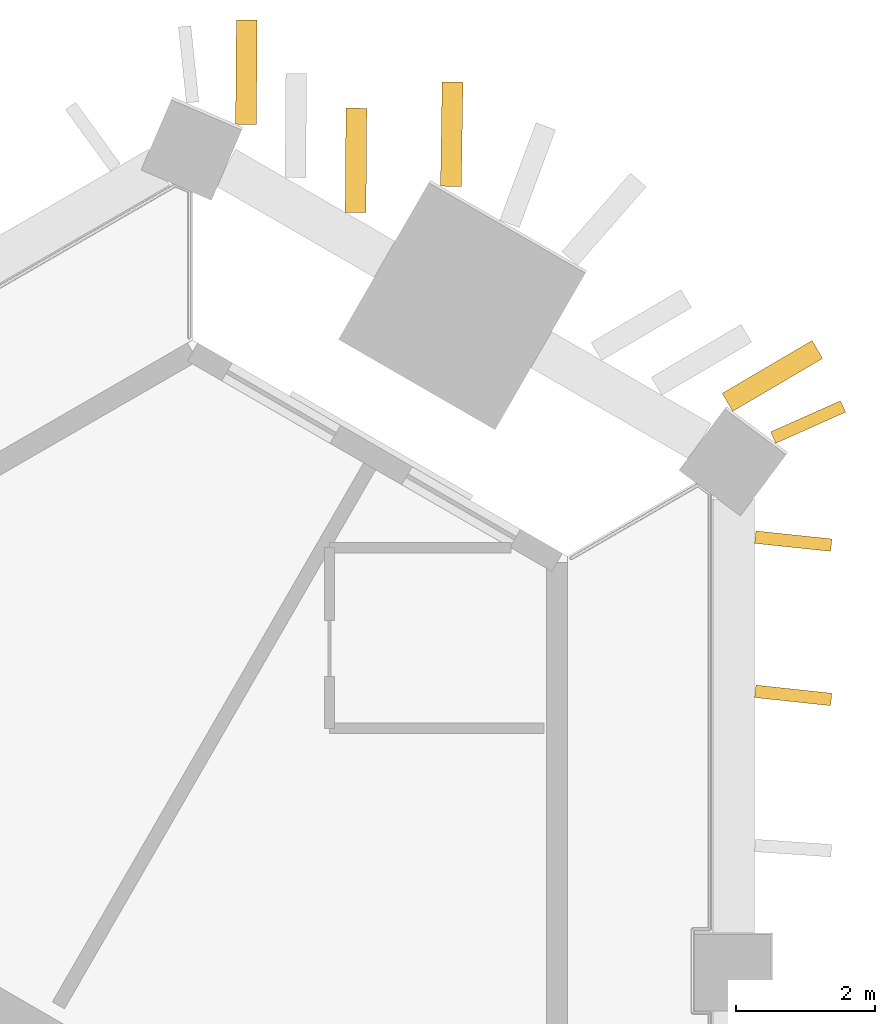
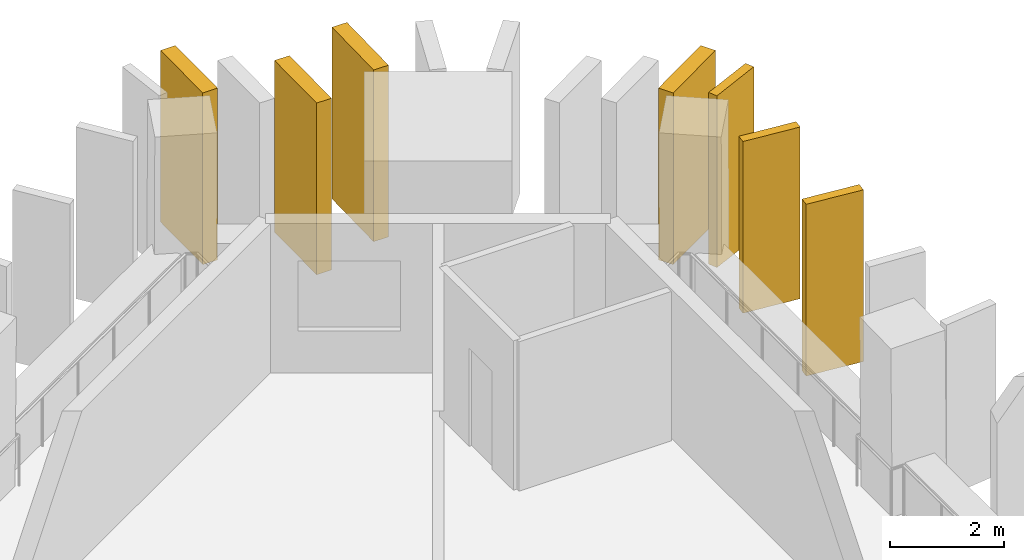
# One storey, part 11 of 11: 7 shading devices.
"""IFC4 building model written with IfcOpenShell, lengths in metres."""

from ifc_helpers import new_model, si_unit, direction, frame, frame_2d, origin, place, context, subcontext, project, spatial, rectangle, extrude, material, layer, layer_set, type_object, element, save


model = new_model("IFC4")

# Units and contexts
model_context = context("Model", 3, precision=1e-05, world=origin(), true_north=direction((0.0, 1.0)))
body_context = subcontext(model_context, "Body", "Model", "MODEL_VIEW")
ifc_project = project(units=[si_unit("LENGTHUNIT", "METRE"), si_unit("AREAUNIT", "SQUARE_METRE"), si_unit("VOLUMEUNIT", "CUBIC_METRE"), si_unit("PLANEANGLEUNIT", "RADIAN"), si_unit("MASSUNIT", "GRAM", prefix="KILO")], contexts=[model_context])

# Site, building, storey
site_placement = place(None, origin())
site = spatial("IfcSite", under=ifc_project, at=site_placement, CompositionType="ELEMENT")
building_placement = place(site_placement, origin())
building = spatial("IfcBuilding", under=site, at=building_placement, Name="Jabali Bay Hotel Tower and Convention Centre", CompositionType="ELEMENT")
storey_placement = place(building_placement, frame((0.0, 0.0, 75.800048828125)))
storey = spatial("IfcBuildingStorey", under=building, at=storey_placement, Name="L17", CompositionType="ELEMENT", Elevation=75.800048828125)

# Shading devices
ifc_material = material(Name="Precast concrete C60", Category="concrete")
ifc_layer_1 = layer(ifc_material, 0.179931640625)
ifc_layer_set_1 = layer_set([ifc_layer_1], Name="Precast concrete C60")
shading_device_type_1 = type_object("IfcShadingDeviceType", Name="Precast fin 3680 x 1100", PredefinedType="USERDEFINED", material=ifc_layer_set_1)
shading_device_1_placement = place(storey_placement, frame((98.427490234375, 107.72802734375, 0.010009765625), z_axis=(0.0, 0.0, 1.0), x_axis=(0.994259499222, -0.106995552272, 0.0)))
element("IfcShadingDevice", 1, at=shading_device_1_placement, inside=storey, type_object=shading_device_type_1, Name="Fin L17 026", ObjectType="FIN", PredefinedType="USERDEFINED", context=body_context, shape_type="SweptSolid", body=[
    extrude(rectangle(XDim=1.099853515625, YDim=0.179931640625, at=frame_2d((0.5498046875, 0.0))), origin(), (0.0, 0.0, 1.0), 3.679931640625),
])
for number, where, z_axis, x_axis, name in (
    (2, (98.42724609375, 109.9462890625, 0.010009765625), (0.0, 0.0, 1.0), (0.99447500941, -0.104973595057, 0.0), "Fin L17 027"),
    (3, (98.685302734375, 111.378662109375, 0.010009765625), (0.0, 0.0, 1.0), (0.913509273105, 0.406817905151, 0.0), "Fin L17 112"),
):
    element("IfcShadingDevice", number, at=place(storey_placement, frame(where, z_axis=z_axis, x_axis=x_axis)), inside=storey, type_object=shading_device_type_1, Name=name, ObjectType="FIN", PredefinedType="USERDEFINED", context=body_context, shape_type="SweptSolid", body=[
        extrude(rectangle(XDim=1.10009765625, YDim=0.179931640625, at=frame_2d((0.550048828125, 0.0))), origin(), (0.0, 0.0, 1.0), 3.679931640625),
    ])
ifc_layer_2 = layer(ifc_material, 0.300048828125)
ifc_layer_set_2 = layer_set([ifc_layer_2], Name="Precast concrete C60")
shading_device_type_2 = type_object("IfcShadingDeviceType", Name="Precast fin 3680 x 1500", PredefinedType="USERDEFINED", material=ifc_layer_set_2)
for number, where, z_axis, x_axis, name in (
    (4, (98.027587890625, 111.88623046875, 0.010009765625), (0.0, 0.0, 1.0), (0.862252015738, 0.506479477723, 0.0), "Fin L17 028"),
    (5, (94.048828125, 114.993408203125, 0.010009765625), (0.0, 0.0, 1.0), (0.015625635615, 0.999877912303, 0.0), "Fin L17 033"),
    (6, (92.67724609375, 114.617431640625, 0.010009765625), (0.0, 0.0, 1.0), (0.007649515767, 0.999970742026, 0.0), "Fin L17 034"),
):
    element("IfcShadingDevice", number, at=place(storey_placement, frame(where, z_axis=z_axis, x_axis=x_axis)), inside=storey, type_object=shading_device_type_2, Name=name, ObjectType="FIN", PredefinedType="USERDEFINED", context=body_context, shape_type="SweptSolid", body=[
        extrude(rectangle(XDim=1.5, YDim=0.300048828125, at=frame_2d((0.75, 0.0))), origin(), (0.0, 0.0, 1.0), 3.679931640625),
    ])
shading_device_2_placement = place(storey_placement, frame((91.100341796875, 115.8857421875, 0.010009765625), z_axis=(0.0, 0.0, 1.0), x_axis=(0.007650760936, 0.9999707325, 0.0)))
element("IfcShadingDevice", 7, at=shading_device_2_placement, inside=storey, type_object=shading_device_type_2, Name="Fin L17 036", ObjectType="FIN", PredefinedType="USERDEFINED", context=body_context, shape_type="SweptSolid", body=[
    extrude(rectangle(XDim=1.499755859375, YDim=0.300048828125, at=frame_2d((0.75, 0.0))), origin(), (0.0, 0.0, 1.0), 3.679931640625),
])

save(model, "model.ifc")
